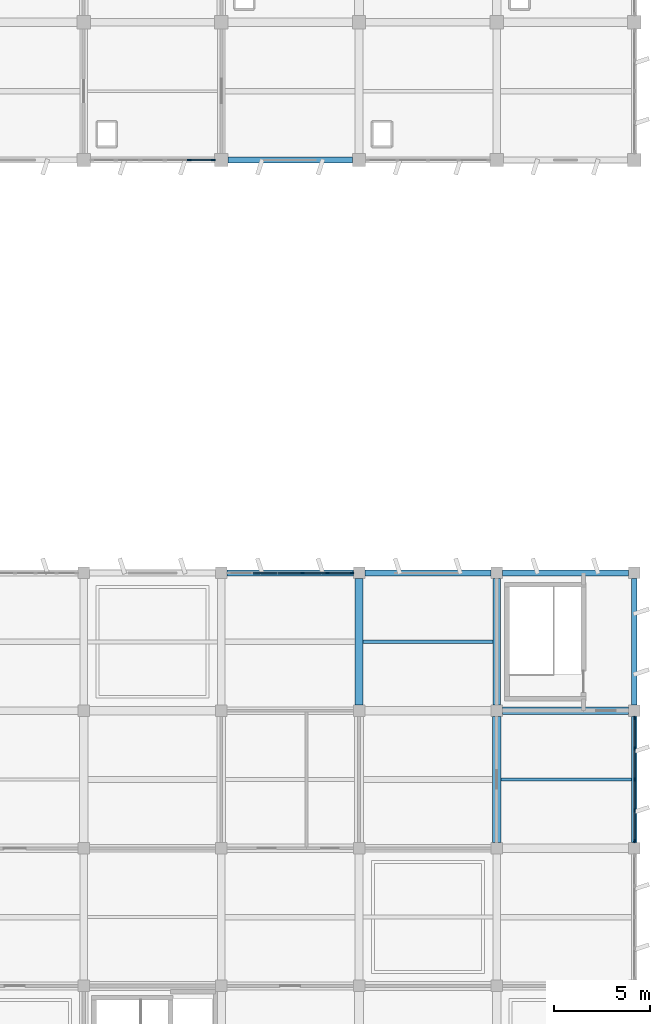
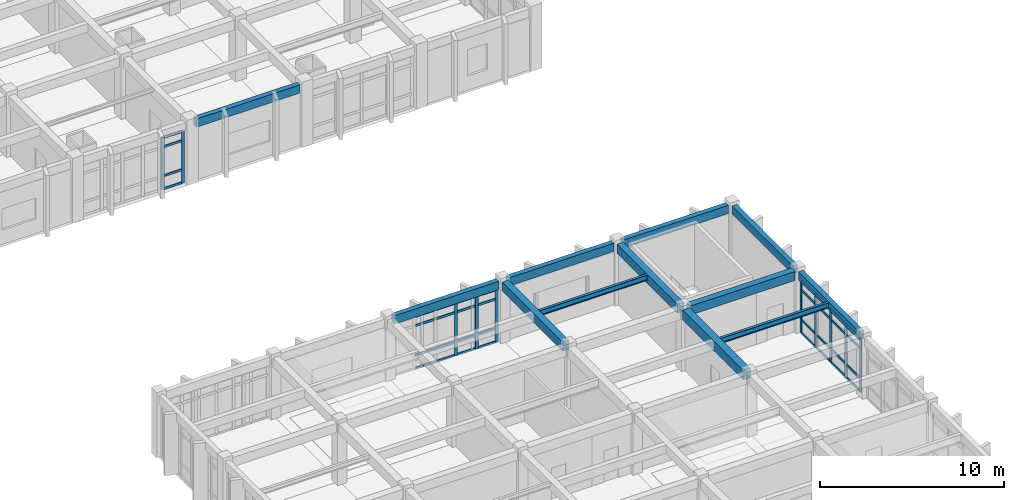
# One storey, part 24 of 70: 48 members, 10 beams, 3 elements without a shape of their own.
"""IFC4 building model written with IfcOpenShell, lengths in metres."""

import ifcopenshell
import ifcopenshell.guid

model = None  # the IFC model being written
_history = None  # IfcOwnerHistory: only IFC2X3 demands one
_inside = {}  # id of a spatial element -> (the spatial element, [elements in it])
_under = {}  # id of a project, library or spatial element -> (it, [spatial elements below it])
_declared = {}  # id of a project -> (the project, [libraries it declares])
_typed = {}  # id of a type object -> (the type object, [elements of that type])
_made_of = {}  # id of a material, layer set ... -> (it, [elements and type objects made of it])


def new_model(schema):
    """Start an empty IFC model of exactly this schema.

    Asked for "IFC4X3", IfcOpenShell would pick the latest addendum, in which some entities
    have other attributes; the version numbers below select the first issue.
    IFC2X3 requires an IfcOwnerHistory on every rooted entity: one is made here for all.
    """
    global model, _history
    if schema == "IFC4X3":
        model = ifcopenshell.file(schema_version=(4, 3, 0, 0))
    else:
        model = ifcopenshell.file(schema=schema)
    _inside.clear()
    _under.clear()
    _declared.clear()
    _typed.clear()
    _made_of.clear()
    _history = None
    if model.schema == "IFC2X3":
        org = make("IfcOrganization", Name="unknown")
        user = make(
            "IfcPersonAndOrganization",
            ThePerson=make("IfcPerson", FamilyName="unknown"),
            TheOrganization=org,
        )
        app = make(
            "IfcApplication",
            ApplicationDeveloper=org,
            Version="unknown",
            ApplicationFullName="unknown",
            ApplicationIdentifier="unknown",
        )
        _history = make(
            "IfcOwnerHistory",
            OwningUser=user,
            OwningApplication=app,
            ChangeAction="ADDED",
            CreationDate=0,
        )
    return model


def make(cls, **values):
    """One entity of the class cls with the attributes given. An attribute that is None is left unset."""
    return model.create_entity(
        cls, **{name: value for name, value in values.items() if value is not None}
    )


def rooted(cls, **values):
    """An entity with a GlobalId (a new one), such as an element, a storey or a relation."""
    return make(cls, GlobalId=ifcopenshell.guid.new(), OwnerHistory=_history, **values)


def si_unit(unit_type, name, prefix=None):
    """IfcSIUnit, for example si_unit("LENGTHUNIT", "METRE", prefix="MILLI")."""
    return make("IfcSIUnit", UnitType=unit_type, Prefix=prefix, Name=name)


def assignment(units):
    """IfcUnitAssignment: the units of a project."""
    return None if units is None else make("IfcUnitAssignment", Units=units)


def point(xyz):
    """IfcCartesianPoint."""
    return None if xyz is None else make("IfcCartesianPoint", Coordinates=xyz)


def direction(xyz):
    """IfcDirection."""
    return None if xyz is None else make("IfcDirection", DirectionRatios=xyz)


def frame(location, z_axis=None, x_axis=None):
    """IfcAxis2Placement3D, a coordinate frame: its origin and axes. An axis left out is left unset."""
    return make(
        "IfcAxis2Placement3D",
        Location=point(location),
        Axis=direction(z_axis),
        RefDirection=direction(x_axis),
    )


def frame_2d(location, x_axis=None):
    """IfcAxis2Placement2D, a coordinate frame in the plane: its origin and x axis."""
    return make(
        "IfcAxis2Placement2D", Location=point(location), RefDirection=direction(x_axis)
    )


def origin():
    """The frame at (0, 0, 0) with its axes left unset."""
    return frame((0.0, 0.0, 0.0))


def origin_2d():
    """The frame at (0, 0) in the plane with its x axis left unset."""
    return frame_2d((0.0, 0.0))


def place(relative_to, where):
    """IfcLocalPlacement: puts the frame where relative to a parent placement (None: the world)."""
    return make(
        "IfcLocalPlacement", PlacementRelTo=relative_to, RelativePlacement=where
    )


def context(
    kind, dimensions, precision=None, world=None, true_north=None, identifier=None
):
    """IfcGeometricRepresentationContext, for example the 3D "Model" context."""
    return make(
        "IfcGeometricRepresentationContext",
        ContextIdentifier=identifier,
        ContextType=kind,
        CoordinateSpaceDimension=dimensions,
        Precision=precision,
        WorldCoordinateSystem=world,
        TrueNorth=true_north,
    )


def subcontext(parent, identifier, kind, view, scale=None):
    """IfcGeometricRepresentationSubContext, for example "Body" below "Model"."""
    return make(
        "IfcGeometricRepresentationSubContext",
        ContextIdentifier=identifier,
        ContextType=kind,
        ParentContext=parent,
        TargetScale=scale,
        TargetView=view,
    )


def project(units=None, contexts=None):
    """IfcProject with its units and contexts."""
    return rooted(
        "IfcProject",
        Name="project",
        RepresentationContexts=contexts,
        UnitsInContext=assignment(units),
    )


def spatial(cls, under=None, at=None, **own):
    """A site, building, storey or space (cls), placed at a placement, below another one or the project."""
    s = rooted(cls, ObjectPlacement=at, **own)
    if under is not None:
        _under.setdefault(under.id(), (under, []))[1].append(s)
    return s


def profile(cls, at=None, kind="AREA", **sizes):
    """A parametric profile (cls). Its sizes go by their IFC names, for example OverallWidth=200.0."""
    return make(cls, ProfileType=kind, Position=at, **sizes)


def rectangle(**sizes):
    """IfcRectangleProfileDef."""
    return profile("IfcRectangleProfileDef", **sizes)


def i_section(**sizes):
    """IfcIShapeProfileDef."""
    return profile("IfcIShapeProfileDef", **sizes)


def extrude(swept, where, along, depth):
    """IfcExtrudedAreaSolid: the profile swept, set in the frame where, extruded along a direction by depth."""
    return make(
        "IfcExtrudedAreaSolid",
        SweptArea=swept,
        Position=where,
        ExtrudedDirection=direction(along),
        Depth=depth,
    )


def shape(context_of_items, identifier, shape_type, items):
    """IfcShapeRepresentation: the items that make up one representation, for example the "Body"."""
    return make(
        "IfcShapeRepresentation",
        ContextOfItems=context_of_items,
        RepresentationIdentifier=identifier,
        RepresentationType=shape_type,
        Items=items,
    )


def material(Name=None, Category=None):
    """IfcMaterial."""
    return make("IfcMaterial", Name=Name, Category=Category)


def layer(
    of_material, thickness, ventilated=None, Name=None, Category=None, Priority=None
):
    """IfcMaterialLayer: one layer of a wall or slab, of a material (None: an air gap)."""
    return make(
        "IfcMaterialLayer",
        Material=of_material,
        LayerThickness=thickness,
        IsVentilated=ventilated,
        Name=Name,
        Category=Category,
        Priority=Priority,
    )


def layer_set(layers, Name=None):
    """IfcMaterialLayerSet."""
    return make("IfcMaterialLayerSet", MaterialLayers=layers, LayerSetName=Name)


def material_profile(
    of_material, cross_section, Name=None, Category=None, Priority=None
):
    """IfcMaterialProfile: a cross section and its material."""
    return make(
        "IfcMaterialProfile",
        Name=Name,
        Material=of_material,
        Profile=cross_section,
        Priority=Priority,
        Category=Category,
    )


def profile_set(profiles, Name=None, composite=None):
    """IfcMaterialProfileSet."""
    return make(
        "IfcMaterialProfileSet",
        Name=Name,
        MaterialProfiles=profiles,
        CompositeProfile=composite,
    )


def made_of(thing, what):
    """Note that an element or type object is made of a material, layer set ...; save() writes the relation."""
    if what is not None:
        _made_of.setdefault(what.id(), (what, []))[1].append(thing)
    return thing


def type_object(cls, material=None, **own):
    """A type object (cls), such as IfcWallType, which elements share."""
    return made_of(rooted(cls, **own), material)


def element(
    cls,
    number,
    at=None,
    inside=None,
    cuts=None,
    type_object=None,
    material=None,
    context=None,
    identifier="Body",
    shape_type=None,
    held_by="IfcProductDefinitionShape",
    body=None,
    shapes=None,
    **own,
):
    """One element of the class cls, such as IfcWall. Its Tag is "e" and its number.

    at: its placement. inside: the storey or other place that contains it. cuts: it is an
    opening in that element (IfcRelVoidsElement). A single representation is given by context,
    identifier, shape_type and body (its items); several are given by shapes. held_by: the class
    of the entity that holds the representations. save() writes the other relations.
    """
    e = rooted(cls, Tag="e%d" % number, ObjectPlacement=at, **own)
    if body is not None:
        shapes = [shape(context, identifier, shape_type, body)]
    if shapes is not None:
        e.Representation = make(held_by, Representations=shapes)
    if inside is not None:
        _inside.setdefault(inside.id(), (inside, []))[1].append(e)
    if cuts is not None:
        rooted(
            "IfcRelVoidsElement", RelatingBuildingElement=cuts, RelatedOpeningElement=e
        )
    if type_object is not None:
        _typed.setdefault(type_object.id(), (type_object, []))[1].append(e)
    return made_of(e, material)


def aggregate(whole, parts):
    """IfcRelAggregates: a whole, such as a stair, and the parts it consists of."""
    return rooted("IfcRelAggregates", RelatingObject=whole, RelatedObjects=parts)


def save(model, path):
    """Write the relations noted so far, then the file.

    IfcRelAggregates (storeys below a building ...), IfcRelContainedInSpatialStructure (elements
    in a storey), IfcRelDefinesByType, IfcRelAssociatesMaterial and IfcRelDeclares: one each for
    every whole, place, type object, material and project.
    """
    for whole, parts in _under.values():
        aggregate(whole, parts)
    for where, things in _inside.values():
        rooted(
            "IfcRelContainedInSpatialStructure",
            RelatedElements=things,
            RelatingStructure=where,
        )
    for kind, things in _typed.values():
        rooted("IfcRelDefinesByType", RelatedObjects=things, RelatingType=kind)
    for what, things in _made_of.values():
        rooted("IfcRelAssociatesMaterial", RelatedObjects=things, RelatingMaterial=what)
    for by, libraries in _declared.values():
        rooted("IfcRelDeclares", RelatingContext=by, RelatedDefinitions=libraries)
    model.write(path)


model = new_model("IFC4")

# Units and contexts
model_context = context("Model", 3, precision=1e-05, world=origin(), true_north=direction((0.0, 1.0)))
body_context = subcontext(model_context, "Body", "Model", "MODEL_VIEW")
ifc_project = project(units=[si_unit("LENGTHUNIT", "METRE"), si_unit("AREAUNIT", "SQUARE_METRE"), si_unit("VOLUMEUNIT", "CUBIC_METRE"), si_unit("PLANEANGLEUNIT", "RADIAN"), si_unit("MASSUNIT", "GRAM", prefix="KILO")], contexts=[model_context])

# Site, building, storey
site_placement = place(None, origin())
site = spatial("IfcSite", under=ifc_project, at=site_placement, CompositionType="ELEMENT")
building_placement = place(site_placement, origin())
building = spatial("IfcBuilding", under=site, at=building_placement, Name="Kavelor Marine Aquarium", CompositionType="ELEMENT")
storey_placement = place(building_placement, frame((0.0, 0.0, 9.179931640625)))
storey = spatial("IfcBuildingStorey", under=building, at=storey_placement, Name="L02", CompositionType="ELEMENT", Elevation=9.179931640625)

# Beams
ifc_material_1 = material(Name="Concrete C40/50", Category="concrete")
ifc_material_profile_1 = material_profile(ifc_material_1, rectangle(XDim=0.449951171875, YDim=0.64990234375, at=origin_2d()), Name="RC-BM 450x650")
ifc_profile_set_1 = profile_set([ifc_material_profile_1], Name="Concrete C40/50")
beam_type_1 = type_object("IfcBeamType", Name="BM-B3", PredefinedType="BEAM", material=ifc_profile_set_1)
beam_1_placement = place(storey_placement, frame((147.199951171875, 17.5, 3.755126953125), z_axis=(0.0, 1.0, 0.0), x_axis=(-1.0, 0.0, 0.0)))
element("IfcBeam", 1, at=beam_1_placement, inside=storey, type_object=beam_type_1, Name="bm:y:L02:L03:20_02", PredefinedType="BEAM", context=body_context, shape_type="SweptSolid", body=[
    extrude(rectangle(XDim=0.449951171875, YDim=0.64990234375, at=origin_2d()), origin(), (0.0, 0.0, 1.0), 6.60009765625),
])
ifc_material_2 = material(Name="Concrete C40/50", Category="concrete")
ifc_material_profile_2 = material_profile(ifc_material_2, rectangle(XDim=0.39990234375, YDim=0.60009765625, at=origin_2d()), Name="RC-BM 400x600")
ifc_profile_set_2 = profile_set([ifc_material_profile_2], Name="Concrete C40/50")
beam_type_2 = type_object("IfcBeamType", Name="BM-B4", PredefinedType="BEAM", material=ifc_profile_set_2)
for number, where, z_axis, x_axis, name in (
    (2, (147.5, 24.39990234375, 3.780029296875), (1.0, 0.0, 0.0), (0.0, 1.0, 0.0), "bm:x:L02:L03:20_03"),
    (3, (140.0, 24.699951171875, 3.780029296875), (0.0, 1.0, 0.0), (-1.0, 0.0, 0.0), "bm:y:L02:L03:19_03"),
    (4, (147.199951171875, 24.699951171875, 3.780029296875), (0.0, 1.0, 0.0), (-1.0, 0.0, 0.0), "bm:y:L02:L03:20_03"),
):
    element("IfcBeam", number, at=place(storey_placement, frame(where, z_axis=z_axis, x_axis=x_axis)), inside=storey, type_object=beam_type_2, Name=name, PredefinedType="BEAM", context=body_context, shape_type="SweptSolid", body=[
        extrude(rectangle(XDim=0.39990234375, YDim=0.60009765625, at=origin_2d()), origin(), (0.0, 0.0, 1.0), 6.60009765625),
    ])
ifc_material_3 = material(Name="Concrete C40/50", Category="concrete")
ifc_material_profile_3 = material_profile(ifc_material_3, rectangle(XDim=0.300048828125, YDim=0.550048828125, at=origin_2d()), Name="RC-SP 300x550")
ifc_profile_set_3 = profile_set([ifc_material_profile_3], Name="Concrete C40/50")
beam_type_3 = type_object("IfcBeamType", Name="BM-SP2", PredefinedType="SPANDREL", material=ifc_profile_set_3)
beam_2_placement = place(storey_placement, frame((133.10009765625, 31.60009765625, 3.80517578125), z_axis=(1.0, 0.0, 0.0), x_axis=(0.0, 1.0, 0.0)))
element("IfcBeam", 5, at=beam_2_placement, inside=storey, type_object=beam_type_3, Name="bm:x:L02:L03:18_04", PredefinedType="SPANDREL", context=body_context, shape_type="SweptSolid", body=[
    extrude(rectangle(XDim=0.300048828125, YDim=0.550048828125, at=origin_2d()), origin(), (0.0, 0.0, 1.0), 6.599853515625),
])
beam_3_placement = place(storey_placement, frame((133.14990234375, 53.199951171875, 3.76513671875), z_axis=(1.0, 0.0, 0.0), x_axis=(0.0, 1.0, 0.0)))
element("IfcBeam", 6, at=beam_3_placement, inside=storey, type_object=beam_type_3, Name="bm:x:L02:L03:18_07", PredefinedType="SPANDREL", context=body_context, shape_type="SweptSolid", body=[
    extrude(rectangle(XDim=0.300048828125, YDim=0.550048828125, at=origin_2d()), origin(), (0.0, 0.0, 1.0), 6.5),
])
beam_4_placement = place(storey_placement, frame((140.300048828125, 31.60009765625, 3.80517578125), z_axis=(1.0, 0.0, 0.0), x_axis=(0.0, 1.0, 0.0)))
element("IfcBeam", 7, at=beam_4_placement, inside=storey, type_object=beam_type_3, Name="bm:x:L02:L03:19_04", PredefinedType="SPANDREL", context=body_context, shape_type="SweptSolid", body=[
    extrude(rectangle(XDim=0.300048828125, YDim=0.550048828125, at=origin_2d()), origin(), (0.0, 0.0, 1.0), 6.599853515625),
])
for number, where, z_axis, x_axis, name in (
    (8, (147.5, 31.60009765625, 3.80517578125), (1.0, 0.0, 0.0), (0.0, 1.0, 0.0), "bm:x:L02:L03:20_04"),
    (9, (154.39990234375, 17.5, 3.80517578125), (0.0, 1.0, 0.0), (-1.0, 0.0, 0.0), "bm:y:L02:L03:21_02"),
    (10, (154.39990234375, 24.699951171875, 3.80517578125), (0.0, 1.0, 0.0), (-1.0, 0.0, 0.0), "bm:y:L02:L03:21_03"),
):
    element("IfcBeam", number, at=place(storey_placement, frame(where, z_axis=z_axis, x_axis=x_axis)), inside=storey, type_object=beam_type_3, Name=name, PredefinedType="SPANDREL", context=body_context, shape_type="SweptSolid", body=[
        extrude(rectangle(XDim=0.300048828125, YDim=0.550048828125, at=origin_2d()), origin(), (0.0, 0.0, 1.0), 6.60009765625),
    ])

# Curtain wall, members
ifc_material_4 = material(Name="Thermally Broken Aluminium and Low-E Glass", Category="aluminium")
ifc_layer_1 = layer(ifc_material_4, 0.251953125)
ifc_layer_set_1 = layer_set([ifc_layer_1], Name="CW-SYS14")
curtain_wall_type_1 = type_object("IfcCurtainWallType", Name="CW-SYS14", PredefinedType="USERDEFINED", material=ifc_layer_set_1)
curtain_wall_1_placement = place(storey_placement, origin())
curtain_wall_1 = element("IfcCurtainWall", 11, at=curtain_wall_1_placement, inside=storey, type_object=curtain_wall_type_1, Name="cw:y:L02:21_02", ObjectType="Curtain Wall", PredefinedType="USERDEFINED")
ifc_material_5 = material(Name="Anodised Aluminium Alloy 6063-T6", Category="aluminium")
ifc_material_profile_4 = material_profile(ifc_material_5, rectangle(XDim=0.080078125, YDim=0.18505859375, at=origin_2d()), Name="CW-MUL 80x185")
ifc_profile_set_4 = profile_set([ifc_material_profile_4], Name="Anodised Aluminium Alloy 6063-T6")
member_type_1 = type_object("IfcMemberType", Name="CWM-2", PredefinedType="MULLION", material=ifc_profile_set_4)
member_1_placement = place(storey_placement, frame((154.39990234375, 17.577392578125, 0.0), z_axis=(0.0, 0.0, 1.0), x_axis=(-1.0, 0.0, 0.0)))
member_1 = element("IfcMember", 12, at=member_1_placement, type_object=member_type_1, Name="CW14 mullion 1", PredefinedType="MULLION", context=body_context, shape_type="SweptSolid", body=[
    extrude(rectangle(XDim=0.080078125, YDim=0.18505859375, at=origin_2d()), origin(), (0.0, 0.0, 1.0), 3.52001953125),
])
member_2_placement = place(storey_placement, frame((154.39990234375, 19.172607421875, 0.0), z_axis=(0.0, 0.0, 1.0), x_axis=(-1.0, 0.0, 0.0)))
member_2 = element("IfcMember", 13, at=member_2_placement, type_object=member_type_1, Name="CW14 mullion 2", PredefinedType="MULLION", context=body_context, shape_type="SweptSolid", body=[
    extrude(rectangle(XDim=0.080078125, YDim=0.18505859375, at=origin_2d()), origin(), (0.0, 0.0, 1.0), 3.52001953125),
])
member_3_placement = place(storey_placement, frame((154.39990234375, 20.800048828125, 0.0), z_axis=(0.0, 0.0, 1.0), x_axis=(-1.0, 0.0, 0.0)))
member_3 = element("IfcMember", 14, at=member_3_placement, type_object=member_type_1, Name="CW14 mullion 3", PredefinedType="MULLION", context=body_context, shape_type="SweptSolid", body=[
    extrude(rectangle(XDim=0.080078125, YDim=0.18505859375, at=origin_2d()), origin(), (0.0, 0.0, 1.0), 3.52001953125),
])
member_4_placement = place(storey_placement, frame((154.39990234375, 22.427490234375, 0.0), z_axis=(0.0, 0.0, 1.0), x_axis=(-1.0, 0.0, 0.0)))
member_4 = element("IfcMember", 15, at=member_4_placement, type_object=member_type_1, Name="CW14 mullion 4", PredefinedType="MULLION", context=body_context, shape_type="SweptSolid", body=[
    extrude(rectangle(XDim=0.080078125, YDim=0.18505859375, at=origin_2d()), origin(), (0.0, 0.0, 1.0), 3.52001953125),
])
member_5_placement = place(storey_placement, frame((154.39990234375, 24.0224609375, 0.0), z_axis=(0.0, 0.0, 1.0), x_axis=(-1.0, 0.0, 0.0)))
member_5 = element("IfcMember", 16, at=member_5_placement, type_object=member_type_1, Name="CW14 mullion 5", PredefinedType="MULLION", context=body_context, shape_type="SweptSolid", body=[
    extrude(rectangle(XDim=0.080078125, YDim=0.18505859375, at=origin_2d()), origin(), (0.0, 0.0, 1.0), 3.52001953125),
])

ifc_material_6 = material(Name="Thermally Broken Aluminium and Low-E Glass", Category="aluminium")
ifc_layer_2 = layer(ifc_material_6, 0.18798828125)
ifc_layer_set_2 = layer_set([ifc_layer_2], Name="CW-SYS6")
curtain_wall_type_2 = type_object("IfcCurtainWallType", Name="CW-SYS6", PredefinedType="USERDEFINED", material=ifc_layer_set_2)
curtain_wall_2_placement = place(storey_placement, origin())
curtain_wall_2 = element("IfcCurtainWall", 17, at=curtain_wall_2_placement, inside=storey, type_object=curtain_wall_type_2, Name="cw:x:L02:17_07", ObjectType="Curtain Wall", PredefinedType="USERDEFINED")
ifc_material_7 = material(Name="Anodised Aluminium Alloy 6063-T6", Category="aluminium")
ifc_material_profile_5 = material_profile(ifc_material_7, rectangle(XDim=0.0849609375, YDim=0.18994140625, at=origin_2d()), Name="CW-MUL 85x190")
ifc_profile_set_5 = profile_set([ifc_material_profile_5], Name="Anodised Aluminium Alloy 6063-T6")
member_type_2 = type_object("IfcMemberType", Name="CWM-3", PredefinedType="MULLION", material=ifc_profile_set_5)
member_6_placement = place(storey_placement, frame((132.375, 53.199951171875, 0.0), z_axis=(0.0, 0.0, 1.0), x_axis=(0.0, -1.0, 0.0)))
member_6 = element("IfcMember", 18, at=member_6_placement, type_object=member_type_2, Name="CW06 mullion 1", PredefinedType="MULLION", context=body_context, shape_type="SweptSolid", body=[
    extrude(rectangle(XDim=0.0849609375, YDim=0.18994140625, at=origin_2d()), origin(), (0.0, 0.0, 1.0), 3.47998046875),
])
member_7_placement = place(storey_placement, frame((131.123046875, 53.199951171875, 0.0), z_axis=(0.0, 0.0, 1.0), x_axis=(0.0, -1.0, 0.0)))
member_7 = element("IfcMember", 19, at=member_7_placement, type_object=member_type_2, Name="CW06 mullion 2", PredefinedType="MULLION", context=body_context, shape_type="SweptSolid", body=[
    extrude(rectangle(XDim=0.0849609375, YDim=0.18994140625, at=origin_2d()), origin(), (0.0, 0.0, 1.0), 3.47998046875),
])

ifc_material_8 = material(Name="Thermally Broken Aluminium and Low-E Glass", Category="aluminium")
ifc_layer_3 = layer(ifc_material_8, 0.2119140625)
ifc_layer_set_3 = layer_set([ifc_layer_3], Name="CW-SYS9")
curtain_wall_type_3 = type_object("IfcCurtainWallType", Name="CW-SYS9", PredefinedType="USERDEFINED", material=ifc_layer_set_3)
curtain_wall_3_placement = place(storey_placement, origin())
curtain_wall_3 = element("IfcCurtainWall", 20, at=curtain_wall_3_placement, inside=storey, type_object=curtain_wall_type_3, Name="cw:x:L02:18_04", ObjectType="Curtain Wall", PredefinedType="USERDEFINED")
member_8_placement = place(storey_placement, frame((137.051025390625, 31.60009765625, 0.0), z_axis=(0.0, 0.0, 1.0), x_axis=(0.0, 1.0, 0.0)))
member_8 = element("IfcMember", 21, at=member_8_placement, type_object=member_type_2, Name="CW09 mullion 4", PredefinedType="MULLION", context=body_context, shape_type="SweptSolid", body=[
    extrude(rectangle(XDim=0.0849609375, YDim=0.18994140625, at=origin_2d()), origin(), (0.0, 0.0, 1.0), 3.52001953125),
])
member_9_placement = place(storey_placement, frame((138.35302734375, 31.60009765625, 0.0), z_axis=(0.0, 0.0, 1.0), x_axis=(0.0, 1.0, 0.0)))
member_9 = element("IfcMember", 22, at=member_9_placement, type_object=member_type_2, Name="CW09 mullion 5", PredefinedType="MULLION", context=body_context, shape_type="SweptSolid", body=[
    extrude(rectangle(XDim=0.0849609375, YDim=0.18994140625, at=origin_2d()), origin(), (0.0, 0.0, 1.0), 3.52001953125),
])
member_10_placement = place(storey_placement, frame((139.625, 31.60009765625, 0.0), z_axis=(0.0, 0.0, 1.0), x_axis=(0.0, 1.0, 0.0)))
member_10 = element("IfcMember", 23, at=member_10_placement, type_object=member_type_2, Name="CW09 mullion 6", PredefinedType="MULLION", context=body_context, shape_type="SweptSolid", body=[
    extrude(rectangle(XDim=0.0849609375, YDim=0.18994140625, at=origin_2d()), origin(), (0.0, 0.0, 1.0), 3.52001953125),
])

# Member
ifc_material_9 = material(Name="Anodised Aluminium Alloy 6063-T6", Category="aluminium")
ifc_material_profile_6 = material_profile(ifc_material_9, rectangle(XDim=0.074951171875, YDim=0.14990234375, at=origin_2d()), Name="CW-TRN 75x150")
ifc_profile_set_6 = profile_set([ifc_material_profile_6], Name="Anodised Aluminium Alloy 6063-T6")
member_type_3 = type_object("IfcMemberType", Name="CWT-1", PredefinedType="USERDEFINED", material=ifc_profile_set_6)
member_11_placement = place(storey_placement, frame((132.344970703125, 53.199951171875, 0.03759765625), z_axis=(-1.0, 0.0, 0.0), x_axis=(0.0, -1.0, 0.0)))
member_11 = element("IfcMember", 24, at=member_11_placement, type_object=member_type_3, Name="CW06 transom 1.1", ObjectType="TRANSOM", PredefinedType="USERDEFINED", context=body_context, shape_type="SweptSolid", body=[
    extrude(rectangle(XDim=0.074951171875, YDim=0.14990234375, at=origin_2d()), origin(), (0.0, 0.0, 1.0), 1.19189453125),
])

member_12_placement = place(storey_placement, frame((132.344970703125, 53.199951171875, 0.900146484375), z_axis=(-1.0, 0.0, 0.0), x_axis=(0.0, -1.0, 0.0)))
member_12 = element("IfcMember", 25, at=member_12_placement, type_object=member_type_3, Name="CW06 transom 1.2", ObjectType="TRANSOM", PredefinedType="USERDEFINED", context=body_context, shape_type="SweptSolid", body=[
    extrude(rectangle(XDim=0.074951171875, YDim=0.14990234375, at=origin_2d()), origin(), (0.0, 0.0, 1.0), 1.19189453125),
])

member_13_placement = place(storey_placement, frame((132.344970703125, 53.199951171875, 2.830078125), z_axis=(-1.0, 0.0, 0.0), x_axis=(0.0, -1.0, 0.0)))
member_13 = element("IfcMember", 26, at=member_13_placement, type_object=member_type_3, Name="CW06 transom 1.3", ObjectType="TRANSOM", PredefinedType="USERDEFINED", context=body_context, shape_type="SweptSolid", body=[
    extrude(rectangle(XDim=0.074951171875, YDim=0.14990234375, at=origin_2d()), origin(), (0.0, 0.0, 1.0), 1.19189453125),
])

member_14_placement = place(storey_placement, frame((132.344970703125, 53.199951171875, 3.442626953125), z_axis=(-1.0, 0.0, 0.0), x_axis=(0.0, -1.0, 0.0)))
member_14 = element("IfcMember", 27, at=member_14_placement, type_object=member_type_3, Name="CW06 transom 1.4", ObjectType="TRANSOM", PredefinedType="USERDEFINED", context=body_context, shape_type="SweptSolid", body=[
    extrude(rectangle(XDim=0.074951171875, YDim=0.14990234375, at=origin_2d()), origin(), (0.0, 0.0, 1.0), 1.19189453125),
])

aggregate(curtain_wall_2, [member_6, member_7, member_11, member_12, member_13, member_14])

ifc_material_10 = material(Name="Anodised Aluminium Alloy 6063-T6", Category="aluminium")
ifc_material_profile_7 = material_profile(ifc_material_10, rectangle(XDim=0.080078125, YDim=0.155029296875, at=origin_2d()), Name="CW-TRN 80x155")
ifc_profile_set_7 = profile_set([ifc_material_profile_7], Name="Anodised Aluminium Alloy 6063-T6")
member_type_4 = type_object("IfcMemberType", Name="CWT-2", PredefinedType="USERDEFINED", material=ifc_profile_set_7)
member_15_placement = place(storey_placement, frame((134.47705078125, 31.60009765625, 0.032470703125), z_axis=(1.0, 0.0, 0.0), x_axis=(0.0, 1.0, 0.0)))
member_15 = element("IfcMember", 28, at=member_15_placement, type_object=member_type_4, Name="CW09 transom 2.1", ObjectType="TRANSOM", PredefinedType="USERDEFINED", context=body_context, shape_type="SweptSolid", body=[
    extrude(rectangle(XDim=0.080078125, YDim=0.155029296875, at=origin_2d()), origin(), (0.0, 0.0, 1.0), 1.241943359375),
])

member_16_placement = place(storey_placement, frame((134.47705078125, 31.60009765625, 0.900146484375), z_axis=(1.0, 0.0, 0.0), x_axis=(0.0, 1.0, 0.0)))
member_16 = element("IfcMember", 29, at=member_16_placement, type_object=member_type_4, Name="CW09 transom 2.2", ObjectType="TRANSOM", PredefinedType="USERDEFINED", context=body_context, shape_type="SweptSolid", body=[
    extrude(rectangle(XDim=0.080078125, YDim=0.155029296875, at=origin_2d()), origin(), (0.0, 0.0, 1.0), 1.241943359375),
])

member_17_placement = place(storey_placement, frame((134.47705078125, 31.60009765625, 2.8701171875), z_axis=(1.0, 0.0, 0.0), x_axis=(0.0, 1.0, 0.0)))
member_17 = element("IfcMember", 30, at=member_17_placement, type_object=member_type_4, Name="CW09 transom 2.3", ObjectType="TRANSOM", PredefinedType="USERDEFINED", context=body_context, shape_type="SweptSolid", body=[
    extrude(rectangle(XDim=0.080078125, YDim=0.155029296875, at=origin_2d()), origin(), (0.0, 0.0, 1.0), 1.241943359375),
])

member_18_placement = place(storey_placement, frame((134.47705078125, 31.60009765625, 3.487548828125), z_axis=(1.0, 0.0, 0.0), x_axis=(0.0, 1.0, 0.0)))
member_18 = element("IfcMember", 31, at=member_18_placement, type_object=member_type_4, Name="CW09 transom 2.4", ObjectType="TRANSOM", PredefinedType="USERDEFINED", context=body_context, shape_type="SweptSolid", body=[
    extrude(rectangle(XDim=0.080078125, YDim=0.155029296875, at=origin_2d()), origin(), (0.0, 0.0, 1.0), 1.241943359375),
])

member_19_placement = place(storey_placement, frame((135.779052734375, 31.60009765625, 0.032470703125), z_axis=(1.0, 0.0, 0.0), x_axis=(0.0, 1.0, 0.0)))
member_19 = element("IfcMember", 32, at=member_19_placement, type_object=member_type_4, Name="CW09 transom 3.1", ObjectType="TRANSOM", PredefinedType="USERDEFINED", context=body_context, shape_type="SweptSolid", body=[
    extrude(rectangle(XDim=0.080078125, YDim=0.155029296875, at=origin_2d()), origin(), (0.0, 0.0, 1.0), 1.241943359375),
])

member_20_placement = place(storey_placement, frame((135.779052734375, 31.60009765625, 0.900146484375), z_axis=(1.0, 0.0, 0.0), x_axis=(0.0, 1.0, 0.0)))
member_20 = element("IfcMember", 33, at=member_20_placement, type_object=member_type_4, Name="CW09 transom 3.2", ObjectType="TRANSOM", PredefinedType="USERDEFINED", context=body_context, shape_type="SweptSolid", body=[
    extrude(rectangle(XDim=0.080078125, YDim=0.155029296875, at=origin_2d()), origin(), (0.0, 0.0, 1.0), 1.241943359375),
])

member_21_placement = place(storey_placement, frame((135.779052734375, 31.60009765625, 2.8701171875), z_axis=(1.0, 0.0, 0.0), x_axis=(0.0, 1.0, 0.0)))
member_21 = element("IfcMember", 34, at=member_21_placement, type_object=member_type_4, Name="CW09 transom 3.3", ObjectType="TRANSOM", PredefinedType="USERDEFINED", context=body_context, shape_type="SweptSolid", body=[
    extrude(rectangle(XDim=0.080078125, YDim=0.155029296875, at=origin_2d()), origin(), (0.0, 0.0, 1.0), 1.241943359375),
])

member_22_placement = place(storey_placement, frame((135.779052734375, 31.60009765625, 3.487548828125), z_axis=(1.0, 0.0, 0.0), x_axis=(0.0, 1.0, 0.0)))
member_22 = element("IfcMember", 35, at=member_22_placement, type_object=member_type_4, Name="CW09 transom 3.4", ObjectType="TRANSOM", PredefinedType="USERDEFINED", context=body_context, shape_type="SweptSolid", body=[
    extrude(rectangle(XDim=0.080078125, YDim=0.155029296875, at=origin_2d()), origin(), (0.0, 0.0, 1.0), 1.241943359375),
])

member_23_placement = place(storey_placement, frame((137.0810546875, 31.60009765625, 0.032470703125), z_axis=(1.0, 0.0, 0.0), x_axis=(0.0, 1.0, 0.0)))
member_23 = element("IfcMember", 36, at=member_23_placement, type_object=member_type_4, Name="CW09 transom 4.1", ObjectType="TRANSOM", PredefinedType="USERDEFINED", context=body_context, shape_type="SweptSolid", body=[
    extrude(rectangle(XDim=0.080078125, YDim=0.155029296875, at=origin_2d()), origin(), (0.0, 0.0, 1.0), 1.241943359375),
])

member_24_placement = place(storey_placement, frame((137.0810546875, 31.60009765625, 0.900146484375), z_axis=(1.0, 0.0, 0.0), x_axis=(0.0, 1.0, 0.0)))
member_24 = element("IfcMember", 37, at=member_24_placement, type_object=member_type_4, Name="CW09 transom 4.2", ObjectType="TRANSOM", PredefinedType="USERDEFINED", context=body_context, shape_type="SweptSolid", body=[
    extrude(rectangle(XDim=0.080078125, YDim=0.155029296875, at=origin_2d()), origin(), (0.0, 0.0, 1.0), 1.241943359375),
])

member_25_placement = place(storey_placement, frame((137.0810546875, 31.60009765625, 2.8701171875), z_axis=(1.0, 0.0, 0.0), x_axis=(0.0, 1.0, 0.0)))
member_25 = element("IfcMember", 38, at=member_25_placement, type_object=member_type_4, Name="CW09 transom 4.3", ObjectType="TRANSOM", PredefinedType="USERDEFINED", context=body_context, shape_type="SweptSolid", body=[
    extrude(rectangle(XDim=0.080078125, YDim=0.155029296875, at=origin_2d()), origin(), (0.0, 0.0, 1.0), 1.241943359375),
])

member_26_placement = place(storey_placement, frame((137.0810546875, 31.60009765625, 3.487548828125), z_axis=(1.0, 0.0, 0.0), x_axis=(0.0, 1.0, 0.0)))
member_26 = element("IfcMember", 39, at=member_26_placement, type_object=member_type_4, Name="CW09 transom 4.4", ObjectType="TRANSOM", PredefinedType="USERDEFINED", context=body_context, shape_type="SweptSolid", body=[
    extrude(rectangle(XDim=0.080078125, YDim=0.155029296875, at=origin_2d()), origin(), (0.0, 0.0, 1.0), 1.241943359375),
])

member_27_placement = place(storey_placement, frame((138.383056640625, 31.60009765625, 0.032470703125), z_axis=(1.0, 0.0, 0.0), x_axis=(0.0, 1.0, 0.0)))
member_27 = element("IfcMember", 40, at=member_27_placement, type_object=member_type_4, Name="CW09 transom 5.1", ObjectType="TRANSOM", PredefinedType="USERDEFINED", context=body_context, shape_type="SweptSolid", body=[
    extrude(rectangle(XDim=0.080078125, YDim=0.155029296875, at=origin_2d()), origin(), (0.0, 0.0, 1.0), 1.2119140625),
])

member_28_placement = place(storey_placement, frame((138.383056640625, 31.60009765625, 0.900146484375), z_axis=(1.0, 0.0, 0.0), x_axis=(0.0, 1.0, 0.0)))
member_28 = element("IfcMember", 41, at=member_28_placement, type_object=member_type_4, Name="CW09 transom 5.2", ObjectType="TRANSOM", PredefinedType="USERDEFINED", context=body_context, shape_type="SweptSolid", body=[
    extrude(rectangle(XDim=0.080078125, YDim=0.155029296875, at=origin_2d()), origin(), (0.0, 0.0, 1.0), 1.2119140625),
])

member_29_placement = place(storey_placement, frame((138.383056640625, 31.60009765625, 2.8701171875), z_axis=(1.0, 0.0, 0.0), x_axis=(0.0, 1.0, 0.0)))
member_29 = element("IfcMember", 42, at=member_29_placement, type_object=member_type_4, Name="CW09 transom 5.3", ObjectType="TRANSOM", PredefinedType="USERDEFINED", context=body_context, shape_type="SweptSolid", body=[
    extrude(rectangle(XDim=0.080078125, YDim=0.155029296875, at=origin_2d()), origin(), (0.0, 0.0, 1.0), 1.2119140625),
])

member_30_placement = place(storey_placement, frame((138.383056640625, 31.60009765625, 3.487548828125), z_axis=(1.0, 0.0, 0.0), x_axis=(0.0, 1.0, 0.0)))
member_30 = element("IfcMember", 43, at=member_30_placement, type_object=member_type_4, Name="CW09 transom 5.4", ObjectType="TRANSOM", PredefinedType="USERDEFINED", context=body_context, shape_type="SweptSolid", body=[
    extrude(rectangle(XDim=0.080078125, YDim=0.155029296875, at=origin_2d()), origin(), (0.0, 0.0, 1.0), 1.2119140625),
])

aggregate(curtain_wall_3, [member_8, member_9, member_10, member_15, member_16, member_17, member_18, member_19, member_20, member_21, member_22, member_23, member_24, member_25, member_26, member_27, member_28, member_29, member_30])

member_31_placement = place(storey_placement, frame((154.39990234375, 17.610107421875, 0.032470703125), z_axis=(0.0, 1.0, 0.0), x_axis=(-1.0, 0.0, 0.0)))
member_31 = element("IfcMember", 44, at=member_31_placement, type_object=member_type_4, Name="CW14 transom 1.1", ObjectType="TRANSOM", PredefinedType="USERDEFINED", context=body_context, shape_type="SweptSolid", body=[
    extrude(rectangle(XDim=0.080078125, YDim=0.155029296875, at=origin_2d()), origin(), (0.0, 0.0, 1.0), 1.52978515625),
])

member_32_placement = place(storey_placement, frame((154.39990234375, 17.610107421875, 0.900146484375), z_axis=(0.0, 1.0, 0.0), x_axis=(-1.0, 0.0, 0.0)))
member_32 = element("IfcMember", 45, at=member_32_placement, type_object=member_type_4, Name="CW14 transom 1.2", ObjectType="TRANSOM", PredefinedType="USERDEFINED", context=body_context, shape_type="SweptSolid", body=[
    extrude(rectangle(XDim=0.080078125, YDim=0.155029296875, at=origin_2d()), origin(), (0.0, 0.0, 1.0), 1.52978515625),
])

member_33_placement = place(storey_placement, frame((154.39990234375, 17.610107421875, 2.8701171875), z_axis=(0.0, 1.0, 0.0), x_axis=(-1.0, 0.0, 0.0)))
member_33 = element("IfcMember", 46, at=member_33_placement, type_object=member_type_4, Name="CW14 transom 1.3", ObjectType="TRANSOM", PredefinedType="USERDEFINED", context=body_context, shape_type="SweptSolid", body=[
    extrude(rectangle(XDim=0.080078125, YDim=0.155029296875, at=origin_2d()), origin(), (0.0, 0.0, 1.0), 1.52978515625),
])

member_34_placement = place(storey_placement, frame((154.39990234375, 17.610107421875, 3.487548828125), z_axis=(0.0, 1.0, 0.0), x_axis=(-1.0, 0.0, 0.0)))
member_34 = element("IfcMember", 47, at=member_34_placement, type_object=member_type_4, Name="CW14 transom 1.4", ObjectType="TRANSOM", PredefinedType="USERDEFINED", context=body_context, shape_type="SweptSolid", body=[
    extrude(rectangle(XDim=0.080078125, YDim=0.155029296875, at=origin_2d()), origin(), (0.0, 0.0, 1.0), 1.52978515625),
])

member_35_placement = place(storey_placement, frame((154.39990234375, 19.205078125, 0.032470703125), z_axis=(0.0, 1.0, 0.0), x_axis=(-1.0, 0.0, 0.0)))
member_35 = element("IfcMember", 48, at=member_35_placement, type_object=member_type_4, Name="CW14 transom 2.1", ObjectType="TRANSOM", PredefinedType="USERDEFINED", context=body_context, shape_type="SweptSolid", body=[
    extrude(rectangle(XDim=0.080078125, YDim=0.155029296875, at=origin_2d()), origin(), (0.0, 0.0, 1.0), 1.5625),
])

member_36_placement = place(storey_placement, frame((154.39990234375, 19.205078125, 0.900146484375), z_axis=(0.0, 1.0, 0.0), x_axis=(-1.0, 0.0, 0.0)))
member_36 = element("IfcMember", 49, at=member_36_placement, type_object=member_type_4, Name="CW14 transom 2.2", ObjectType="TRANSOM", PredefinedType="USERDEFINED", context=body_context, shape_type="SweptSolid", body=[
    extrude(rectangle(XDim=0.080078125, YDim=0.155029296875, at=origin_2d()), origin(), (0.0, 0.0, 1.0), 1.5625),
])

member_37_placement = place(storey_placement, frame((154.39990234375, 19.205078125, 2.8701171875), z_axis=(0.0, 1.0, 0.0), x_axis=(-1.0, 0.0, 0.0)))
member_37 = element("IfcMember", 50, at=member_37_placement, type_object=member_type_4, Name="CW14 transom 2.3", ObjectType="TRANSOM", PredefinedType="USERDEFINED", context=body_context, shape_type="SweptSolid", body=[
    extrude(rectangle(XDim=0.080078125, YDim=0.155029296875, at=origin_2d()), origin(), (0.0, 0.0, 1.0), 1.5625),
])

member_38_placement = place(storey_placement, frame((154.39990234375, 19.205078125, 3.487548828125), z_axis=(0.0, 1.0, 0.0), x_axis=(-1.0, 0.0, 0.0)))
member_38 = element("IfcMember", 51, at=member_38_placement, type_object=member_type_4, Name="CW14 transom 2.4", ObjectType="TRANSOM", PredefinedType="USERDEFINED", context=body_context, shape_type="SweptSolid", body=[
    extrude(rectangle(XDim=0.080078125, YDim=0.155029296875, at=origin_2d()), origin(), (0.0, 0.0, 1.0), 1.5625),
])

member_39_placement = place(storey_placement, frame((154.39990234375, 20.83251953125, 0.032470703125), z_axis=(0.0, 1.0, 0.0), x_axis=(-1.0, 0.0, 0.0)))
member_39 = element("IfcMember", 52, at=member_39_placement, type_object=member_type_4, Name="CW14 transom 3.1", ObjectType="TRANSOM", PredefinedType="USERDEFINED", context=body_context, shape_type="SweptSolid", body=[
    extrude(rectangle(XDim=0.080078125, YDim=0.155029296875, at=origin_2d()), origin(), (0.0, 0.0, 1.0), 1.5625),
])

member_40_placement = place(storey_placement, frame((154.39990234375, 20.83251953125, 0.900146484375), z_axis=(0.0, 1.0, 0.0), x_axis=(-1.0, 0.0, 0.0)))
member_40 = element("IfcMember", 53, at=member_40_placement, type_object=member_type_4, Name="CW14 transom 3.2", ObjectType="TRANSOM", PredefinedType="USERDEFINED", context=body_context, shape_type="SweptSolid", body=[
    extrude(rectangle(XDim=0.080078125, YDim=0.155029296875, at=origin_2d()), origin(), (0.0, 0.0, 1.0), 1.5625),
])

member_41_placement = place(storey_placement, frame((154.39990234375, 20.83251953125, 2.8701171875), z_axis=(0.0, 1.0, 0.0), x_axis=(-1.0, 0.0, 0.0)))
member_41 = element("IfcMember", 54, at=member_41_placement, type_object=member_type_4, Name="CW14 transom 3.3", ObjectType="TRANSOM", PredefinedType="USERDEFINED", context=body_context, shape_type="SweptSolid", body=[
    extrude(rectangle(XDim=0.080078125, YDim=0.155029296875, at=origin_2d()), origin(), (0.0, 0.0, 1.0), 1.5625),
])

member_42_placement = place(storey_placement, frame((154.39990234375, 20.83251953125, 3.487548828125), z_axis=(0.0, 1.0, 0.0), x_axis=(-1.0, 0.0, 0.0)))
member_42 = element("IfcMember", 55, at=member_42_placement, type_object=member_type_4, Name="CW14 transom 3.4", ObjectType="TRANSOM", PredefinedType="USERDEFINED", context=body_context, shape_type="SweptSolid", body=[
    extrude(rectangle(XDim=0.080078125, YDim=0.155029296875, at=origin_2d()), origin(), (0.0, 0.0, 1.0), 1.5625),
])

member_43_placement = place(storey_placement, frame((154.39990234375, 22.4599609375, 0.032470703125), z_axis=(0.0, 1.0, 0.0), x_axis=(-1.0, 0.0, 0.0)))
member_43 = element("IfcMember", 56, at=member_43_placement, type_object=member_type_4, Name="CW14 transom 4.1", ObjectType="TRANSOM", PredefinedType="USERDEFINED", context=body_context, shape_type="SweptSolid", body=[
    extrude(rectangle(XDim=0.080078125, YDim=0.155029296875, at=origin_2d()), origin(), (0.0, 0.0, 1.0), 1.530029296875),
])

member_44_placement = place(storey_placement, frame((154.39990234375, 22.4599609375, 0.900146484375), z_axis=(0.0, 1.0, 0.0), x_axis=(-1.0, 0.0, 0.0)))
member_44 = element("IfcMember", 57, at=member_44_placement, type_object=member_type_4, Name="CW14 transom 4.2", ObjectType="TRANSOM", PredefinedType="USERDEFINED", context=body_context, shape_type="SweptSolid", body=[
    extrude(rectangle(XDim=0.080078125, YDim=0.155029296875, at=origin_2d()), origin(), (0.0, 0.0, 1.0), 1.530029296875),
])

member_45_placement = place(storey_placement, frame((154.39990234375, 22.4599609375, 2.8701171875), z_axis=(0.0, 1.0, 0.0), x_axis=(-1.0, 0.0, 0.0)))
member_45 = element("IfcMember", 58, at=member_45_placement, type_object=member_type_4, Name="CW14 transom 4.3", ObjectType="TRANSOM", PredefinedType="USERDEFINED", context=body_context, shape_type="SweptSolid", body=[
    extrude(rectangle(XDim=0.080078125, YDim=0.155029296875, at=origin_2d()), origin(), (0.0, 0.0, 1.0), 1.530029296875),
])

member_46_placement = place(storey_placement, frame((154.39990234375, 22.4599609375, 3.487548828125), z_axis=(0.0, 1.0, 0.0), x_axis=(-1.0, 0.0, 0.0)))
member_46 = element("IfcMember", 59, at=member_46_placement, type_object=member_type_4, Name="CW14 transom 4.4", ObjectType="TRANSOM", PredefinedType="USERDEFINED", context=body_context, shape_type="SweptSolid", body=[
    extrude(rectangle(XDim=0.080078125, YDim=0.155029296875, at=origin_2d()), origin(), (0.0, 0.0, 1.0), 1.530029296875),
])

aggregate(curtain_wall_1, [member_1, member_2, member_3, member_4, member_5, member_31, member_32, member_33, member_34, member_35, member_36, member_37, member_38, member_39, member_40, member_41, member_42, member_43, member_44, member_45, member_46])

# Members
ifc_material_11 = material(Name="Steel S355", Category="steel")
ifc_material_profile_8 = material_profile(ifc_material_11, i_section(OverallWidth=0.169921875, OverallDepth=0.360107421875, WebThickness=0.008056640625, FlangeThickness=0.0126953125, FilletRadius=0.01806640625, at=origin_2d()), Name="IPE 360")
ifc_profile_set_8 = profile_set([ifc_material_profile_8], Name="Steel S355")
member_type_5 = type_object("IfcMemberType", Name="PR-SJ3", PredefinedType="PURLIN", material=ifc_profile_set_8)
member_47_placement = place(storey_placement, frame((140.199951171875, 28.0, 3.900146484375), z_axis=(1.0, 0.0, 0.0), x_axis=(0.0, 1.0, 0.0)))
element("IfcMember", 60, at=member_47_placement, inside=storey, type_object=member_type_5, Name="js:L02:L03:19_03", PredefinedType="PURLIN", context=body_context, shape_type="SweptSolid", body=[
    extrude(i_section(OverallWidth=0.169921875, OverallDepth=0.360107421875, WebThickness=0.008056640625, FlangeThickness=0.0126953125, FilletRadius=0.01806640625, at=origin_2d()), origin(), (0.0, 0.0, 1.0), 6.800048828125),
])
member_48_placement = place(storey_placement, frame((147.425048828125, 20.800048828125, 3.900146484375), z_axis=(1.0, 0.0, 0.0), x_axis=(0.0, 1.0, 0.0)))
element("IfcMember", 61, at=member_48_placement, inside=storey, type_object=member_type_5, Name="js:L02:L03:20_02", PredefinedType="PURLIN", context=body_context, shape_type="SweptSolid", body=[
    extrude(i_section(OverallWidth=0.169921875, OverallDepth=0.360107421875, WebThickness=0.008056640625, FlangeThickness=0.0126953125, FilletRadius=0.01806640625, at=origin_2d()), origin(), (0.0, 0.0, 1.0), 6.824951171875),
])

save(model, "model.ifc")
